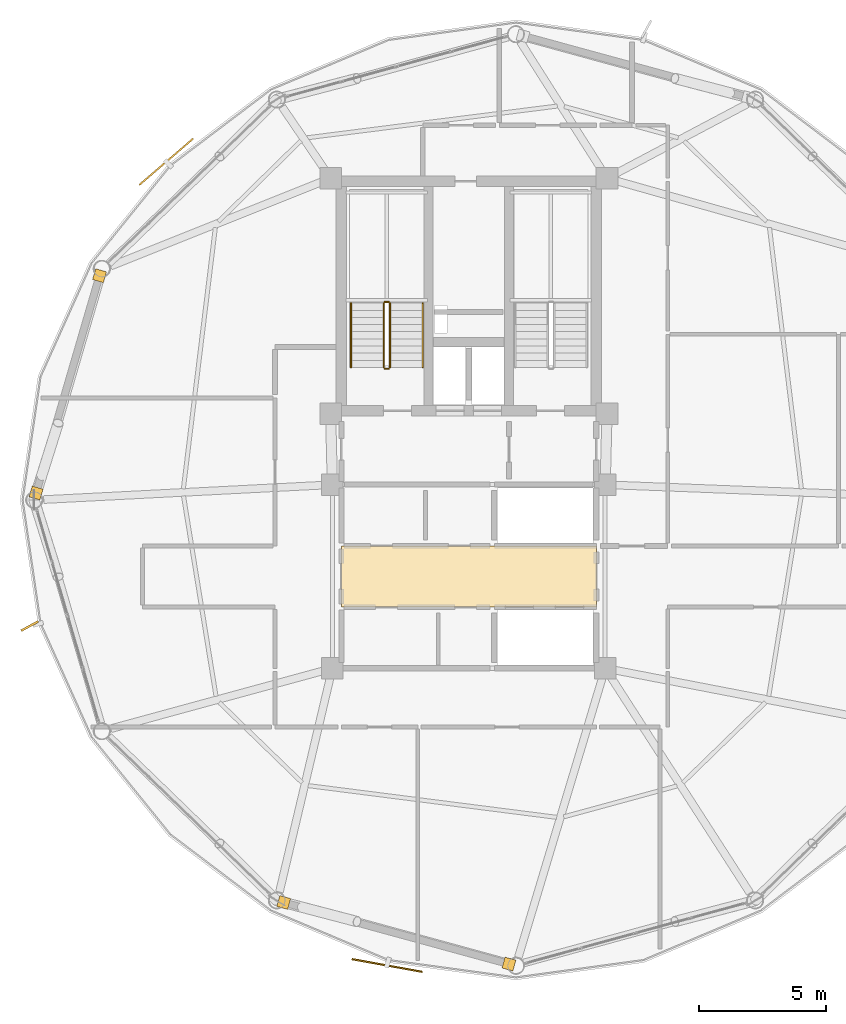
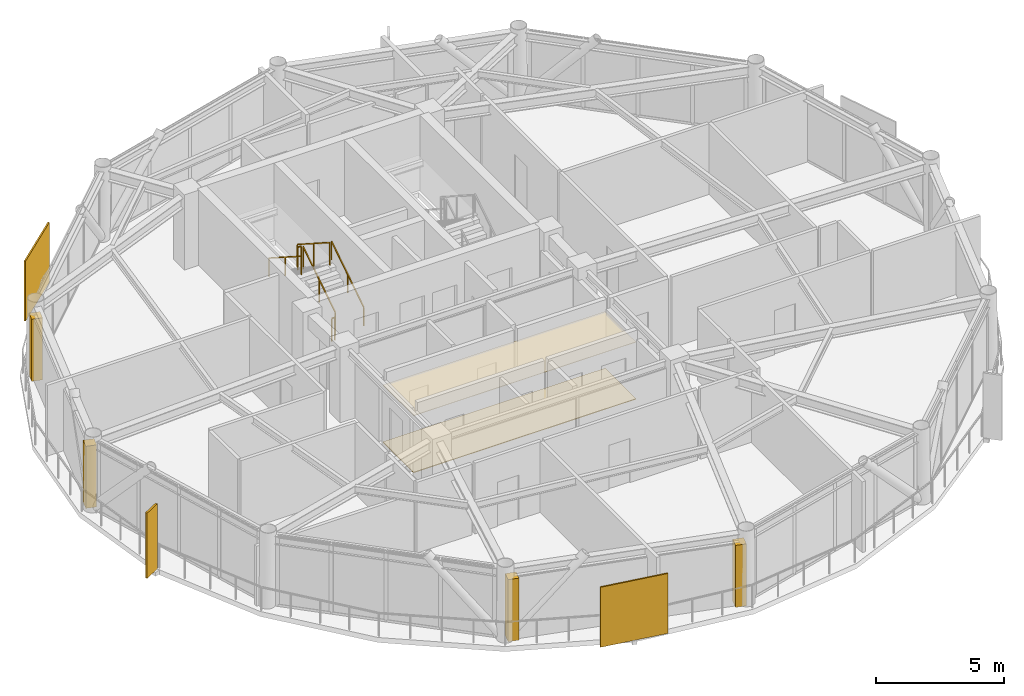
# One storey, part 26 of 28: 6 coverings, 6 railings, 3 shading devices.
"""IFC4 building model written with IfcOpenShell, lengths in metres."""

from ifc_helpers import new_model, si_unit, direction, frame, origin, origin_2d, place, context, subcontext, project, spatial, polyline, rectangle, outline, extrude, source, transform, mapped, material, layer, layer_set, type_object, type_shapes, element, save


model = new_model("IFC4")

# Units and contexts
model_context = context("Model", 3, precision=1e-05, world=origin(), true_north=direction((0.0, 1.0)))
body_context = subcontext(model_context, "Body", "Model", "MODEL_VIEW")
ifc_project = project(units=[si_unit("LENGTHUNIT", "METRE"), si_unit("AREAUNIT", "SQUARE_METRE"), si_unit("VOLUMEUNIT", "CUBIC_METRE"), si_unit("PLANEANGLEUNIT", "RADIAN"), si_unit("MASSUNIT", "GRAM", prefix="KILO")], contexts=[model_context])

# Site, building, storey
site_placement = place(None, origin())
site = spatial("IfcSite", under=ifc_project, at=site_placement, CompositionType="ELEMENT")
building_placement = place(site_placement, origin())
building = spatial("IfcBuilding", under=site, at=building_placement, Name="Varnakorn Sky Granary", CompositionType="ELEMENT")
storey_placement = place(building_placement, frame((0.0, 0.0, 225.60009765625)))
storey = spatial("IfcBuildingStorey", under=building, at=storey_placement, Name="L57", CompositionType="ELEMENT", Elevation=225.60009765625)

# Coverings
ifc_material_1 = material(Name="Perforated Acoustic Mineral-Fibre Ceiling", Category="gypsum")
ifc_layer_1 = layer(ifc_material_1, 0.02001953125, Name="Perforated Acoustic Mineral-Fibre Ceiling")
ifc_layer_set_1 = layer_set([ifc_layer_1], Name="Perforated Acoustic Mineral-Fibre Ceiling")
covering_type_1 = type_object("IfcCoveringType", Name="CV-CEIL-20", PredefinedType="CEILING", material=ifc_layer_set_1)
covering_1_placement = place(storey_placement, frame((0.0, 0.0, 2.7099609375)))
element("IfcCovering", 1, at=covering_1_placement, inside=storey, type_object=covering_type_1, Name="Lift Lobby Perforated Acoustic Ceiling L57", PredefinedType="CEILING", context=body_context, shape_type="SweptSolid", body=[
    extrude(outline(polyline([(-2.0, -4.199951171875), (8.0, -4.199951171875), (8.0, -1.800048828125), (-2.0, -1.800048828125), (-2.0, -4.199951171875)])), origin(), (0.0, 0.0, 1.0), 0.02001953125),
])
ifc_material_2 = material(Name="Honed Epoxy Terrazzo Topping", Category="concrete")
ifc_layer_2 = layer(ifc_material_2, 0.030029296875, Name="Honed Epoxy Terrazzo Topping")
ifc_layer_set_2 = layer_set([ifc_layer_2], Name="Honed Epoxy Terrazzo Topping")
covering_type_2 = type_object("IfcCoveringType", Name="CV-FLOR-30", PredefinedType="FLOORING", material=ifc_layer_set_2)
covering_2_placement = place(storey_placement, origin())
element("IfcCovering", 2, at=covering_2_placement, inside=storey, type_object=covering_type_2, Name="Lift Lobby Terrazzo Floor Finish L57", PredefinedType="FLOORING", context=body_context, shape_type="SweptSolid", body=[
    extrude(outline(polyline([(-2.0, -4.199951171875), (8.0, -4.199951171875), (8.0, -1.800048828125), (-2.0, -1.800048828125), (-2.0, -4.199951171875)])), origin(), (0.0, 0.0, 1.0), 0.02978515625),
])

# Railings
ifc_material_3 = material(Name="Brushed Stainless Steel 316", Category="steel")
railing_type_1 = type_object("IfcRailingType", Name="RL-STAIR-1100", PredefinedType="GUARDRAIL", material=ifc_material_3)
railing_1_placement = place(storey_placement, frame((-0.090087890625, 5.199951171875, 0.179931640625)))
element("IfcRailing", 3, at=railing_1_placement, inside=storey, type_object=railing_type_1, Name="L57 ST-1 stair guard 1", PredefinedType="GUARDRAIL", context=body_context, shape_type="SweptSolid", body=[
    extrude(rectangle(XDim=0.048095703125, YDim=0.048095703125, at=origin_2d()), frame((0.0, 0.0, 1.076171875), z_axis=(0.0, 0.841199657755, 0.540724639528), x_axis=(-1.0, 0.0, 0.0)), (0.0, 0.0, 1.0), 2.995849609375),
    extrude(rectangle(XDim=0.0419921875, YDim=0.0419921875, at=origin_2d()), origin(), (0.0, 0.0, 1.0), 1.048095703125),
    extrude(rectangle(XDim=0.0419921875, YDim=0.0419921875, at=origin_2d()), frame((0.0, 1.260009765625, 0.81005859375)), (0.0, 0.0, 1.0), 1.048095703125),
    extrude(rectangle(XDim=0.0419921875, YDim=0.0419921875, at=origin_2d()), frame((0.0, 2.52001953125, 1.619873046875)), (0.0, 0.0, 1.0), 1.048095703125),
])
railing_2_placement = place(storey_placement, frame((-0.139892578125, 7.77001953125, 1.7998046875)))
element("IfcRailing", 4, at=railing_2_placement, inside=storey, type_object=railing_type_1, Name="L57 ST-1 stair guard 2", PredefinedType="GUARDRAIL", context=body_context, shape_type="SweptSolid", body=[
    extrude(rectangle(XDim=0.048095703125, YDim=0.048095703125, at=origin_2d()), frame((0.0, 0.0, 1.076171875), z_axis=(-1.0, 0.0, 0.0), x_axis=(0.0, -1.0, 0.0)), (0.0, 0.0, 1.0), 0.150146484375),
    extrude(rectangle(XDim=0.0419921875, YDim=0.0419921875, at=origin_2d()), origin(), (0.0, 0.0, 1.0), 1.048095703125),
    extrude(rectangle(XDim=0.0419921875, YDim=0.0419921875, at=origin_2d()), frame((-0.150146484375, 0.0, 0.0)), (0.0, 0.0, 1.0), 1.048095703125),
])
railing_3_placement = place(storey_placement, frame((-0.340087890625, 7.719970703125, 1.97998046875)))
element("IfcRailing", 5, at=railing_3_placement, inside=storey, type_object=railing_type_1, Name="L57 ST-1 stair guard 3", PredefinedType="GUARDRAIL", context=body_context, shape_type="SweptSolid", body=[
    extrude(rectangle(XDim=0.048095703125, YDim=0.048095703125, at=origin_2d()), frame((0.0, 0.0, 1.076171875), z_axis=(0.0, -0.841199657755, 0.540724639528), x_axis=(1.0, 0.0, 0.0)), (0.0, 0.0, 1.0), 2.995849609375),
    extrude(rectangle(XDim=0.0419921875, YDim=0.0419921875, at=origin_2d()), origin(), (0.0, 0.0, 1.0), 1.048095703125),
    extrude(rectangle(XDim=0.0419921875, YDim=0.0419921875, at=origin_2d()), frame((0.0, -1.260009765625, 0.81005859375)), (0.0, 0.0, 1.0), 1.048095703125),
    extrude(rectangle(XDim=0.0419921875, YDim=0.0419921875, at=origin_2d()), frame((0.0, -2.52001953125, 1.619873046875)), (0.0, 0.0, 1.0), 1.048095703125),
])
railing_4_placement = place(storey_placement, frame((-0.139892578125, 5.14990234375, 0.0)))
element("IfcRailing", 6, at=railing_4_placement, inside=storey, type_object=railing_type_1, Name="L57 ST-1 stair guard 4", PredefinedType="GUARDRAIL", context=body_context, shape_type="SweptSolid", body=[
    extrude(rectangle(XDim=0.048095703125, YDim=0.048095703125, at=origin_2d()), frame((0.0, 0.0, 1.076171875), z_axis=(-1.0, 0.0, 0.0), x_axis=(0.0, -1.0, 0.0)), (0.0, 0.0, 1.0), 0.150146484375),
    extrude(rectangle(XDim=0.0419921875, YDim=0.0419921875, at=origin_2d()), origin(), (0.0, 0.0, 1.0), 1.048095703125),
    extrude(rectangle(XDim=0.0419921875, YDim=0.0419921875, at=origin_2d()), frame((-0.150146484375, 0.0, 0.0)), (0.0, 0.0, 1.0), 1.048095703125),
])
railing_type_2 = type_object("IfcRailingType", Name="RL-STAIR-920", PredefinedType="HANDRAIL", material=ifc_material_3)
railing_5_placement = place(storey_placement, frame((1.18994140625, 5.199951171875, 0.179931640625)))
element("IfcRailing", 7, at=railing_5_placement, inside=storey, type_object=railing_type_2, Name="L57 ST-1 stair handrail 1", PredefinedType="HANDRAIL", context=body_context, shape_type="SweptSolid", body=[
    extrude(rectangle(XDim=0.048095703125, YDim=0.048095703125, at=origin_2d()), frame((0.0, 0.0, 0.8759765625), z_axis=(0.0, 0.841199657755, 0.540724639528), x_axis=(-1.0, 0.0, 0.0)), (0.0, 0.0, 1.0), 2.995849609375),
    extrude(rectangle(XDim=0.0419921875, YDim=0.0419921875, at=origin_2d()), origin(), (0.0, 0.0, 1.0), 0.847900390625),
    extrude(rectangle(XDim=0.0419921875, YDim=0.0419921875, at=origin_2d()), frame((0.0, 1.260009765625, 0.81005859375)), (0.0, 0.0, 1.0), 0.847900390625),
    extrude(rectangle(XDim=0.0419921875, YDim=0.0419921875, at=origin_2d()), frame((0.0, 2.52001953125, 1.619873046875)), (0.0, 0.0, 1.0), 0.847900390625),
])
railing_6_placement = place(storey_placement, frame((-1.6201171875, 7.719970703125, 1.97998046875)))
element("IfcRailing", 8, at=railing_6_placement, inside=storey, type_object=railing_type_2, Name="L57 ST-1 stair handrail 2", PredefinedType="HANDRAIL", context=body_context, shape_type="SweptSolid", body=[
    extrude(rectangle(XDim=0.048095703125, YDim=0.048095703125, at=origin_2d()), frame((0.0, 0.0, 0.8759765625), z_axis=(0.0, -0.841199657755, 0.540724639528), x_axis=(1.0, 0.0, 0.0)), (0.0, 0.0, 1.0), 2.995849609375),
    extrude(rectangle(XDim=0.0419921875, YDim=0.0419921875, at=origin_2d()), origin(), (0.0, 0.0, 1.0), 0.847900390625),
    extrude(rectangle(XDim=0.0419921875, YDim=0.0419921875, at=origin_2d()), frame((0.0, -1.260009765625, 0.81005859375)), (0.0, 0.0, 1.0), 0.847900390625),
    extrude(rectangle(XDim=0.0419921875, YDim=0.0419921875, at=origin_2d()), frame((0.0, -2.52001953125, 1.619873046875)), (0.0, 0.0, 1.0), 0.847900390625),
])

# Coverings
ifc_material_4 = material(Name="Anodised Bronze Aluminium Alloy 6063-T6", Category="aluminium")
ifc_layer_3 = layer(ifc_material_4, 0.050048828125, Name="Anodised Bronze Aluminium Alloy 6063-T6")
ifc_layer_set_3 = layer_set([ifc_layer_3], Name="Anodised Bronze Aluminium Alloy 6063-T6")
covering_type_3 = type_object("IfcCoveringType", Name="CV-CLAD-50", PredefinedType="CLADDING", material=ifc_layer_set_3)
shared_shape_1 = source(origin(), body_context, "Body", "SweptSolid", [
    extrude(rectangle(XDim=0.43994140625, YDim=0.43994140625, at=origin_2d()), origin(), (0.0, 0.0, 1.0), 2.949951171875),
])
type_shapes(covering_type_3, [shared_shape_1])
for number, where, z_axis, x_axis, name in (
    (9, (-13.97216796875, 0.273681640625, -0.02001953125), (0.0, 0.0, 1.0), (0.280331656578, 0.959903204662, 0.0), "Bronze Corner Pilaster Closure L57-P06-A"),
    (10, (-11.482666015625, 8.796875, -0.02001953125), (0.0, 0.0, 1.0), (0.280331656578, 0.959903204662, 0.0), "Bronze Corner Pilaster Closure L57-P06-B"),
    (11, (4.5751953125, -18.20068359375, -0.02001953125), (0.0, 0.0, 1.0), (-0.964603458302, 0.263704698919, 0.0), "Bronze Corner Pilaster Closure L57-P09-A"),
    (12, (-4.258544921875, -15.785888671875, -0.02001953125), (0.0, 0.0, 1.0), (-0.964603458302, 0.263704698919, 0.0), "Bronze Corner Pilaster Closure L57-P09-B"),
):
    element("IfcCovering", number, at=place(storey_placement, frame(where, z_axis=z_axis, x_axis=x_axis)), inside=storey, type_object=covering_type_3, Name=name, PredefinedType="CLADDING", context=body_context, shape_type="MappedRepresentation", body=[
        mapped(shared_shape_1, transform((0.0, 0.0, 0.0), x_axis=(1.0, 0.0, 0.0), y_axis=(0.0, 1.0, 0.0), z_axis=(0.0, 0.0, 1.0), scale=1.0)),
    ])

# Shading devices
shading_device_type_1 = type_object("IfcShadingDeviceType", Name="SH-FIN-03", PredefinedType="USERDEFINED", material=ifc_material_4)
shared_shape_2 = source(origin(), body_context, "Body", "SweptSolid", [
    extrude(rectangle(XDim=0.0849609375, YDim=0.760009765625, at=origin_2d()), origin(), (0.0, 0.0, 1.0), 3.10009765625),
])
type_shapes(shading_device_type_1, [shared_shape_2])
shading_device_placement = place(storey_placement, frame((-14.22509765625, -4.9453125, -0.0400390625), z_axis=(0.0, 0.0, 1.0), x_axis=(0.477445864305, -0.87866116715, 0.0)))
element("IfcShadingDevice", 13, at=shading_device_placement, inside=storey, type_object=shading_device_type_1, Name="Bronze Solar-Tracking Vertical Blade FIN L57-07", ObjectType="FIN", PredefinedType="USERDEFINED", context=body_context, shape_type="MappedRepresentation", body=[
    mapped(shared_shape_2, transform((0.0, 0.0, 0.0), x_axis=(1.0, 0.0, 0.0), y_axis=(0.0, 1.0, 0.0), z_axis=(0.0, 0.0, 1.0), scale=1.0)),
])
shading_device_type_2 = type_object("IfcShadingDeviceType", Name="SH-SCR-03", PredefinedType="USERDEFINED", material=ifc_material_4)
shared_shape_3 = source(origin(), body_context, "Body", "SweptSolid", [
    extrude(rectangle(XDim=2.800048828125, YDim=0.06494140625, at=origin_2d()), origin(), (0.0, 0.0, 1.0), 2.85009765625),
])
type_shapes(shading_device_type_2, [shared_shape_3])
for number, where, z_axis, x_axis, name in (
    (14, (-8.864990234375, 13.266845703125, -0.0400390625), (0.0, 0.0, 1.0), (-0.758114471887, -0.652121497511, 0.0), "Perforated Bronze Solar Screen Panel SCREEN L57-05"),
    (15, (-0.205810546875, -18.25634765625, -0.0400390625), (0.0, 0.0, 1.0), (0.98410483297, -0.17758850674, 0.0), "Perforated Bronze Solar Screen Panel SCREEN L57-09"),
):
    element("IfcShadingDevice", number, at=place(storey_placement, frame(where, z_axis=z_axis, x_axis=x_axis)), inside=storey, type_object=shading_device_type_2, Name=name, ObjectType="SCREEN", PredefinedType="USERDEFINED", context=body_context, shape_type="MappedRepresentation", body=[
        mapped(shared_shape_3, transform((0.0, 0.0, 0.0), x_axis=(1.0, 0.0, 0.0), y_axis=(0.0, 1.0, 0.0), z_axis=(0.0, 0.0, 1.0), scale=1.0)),
    ])

save(model, "model.ifc")
